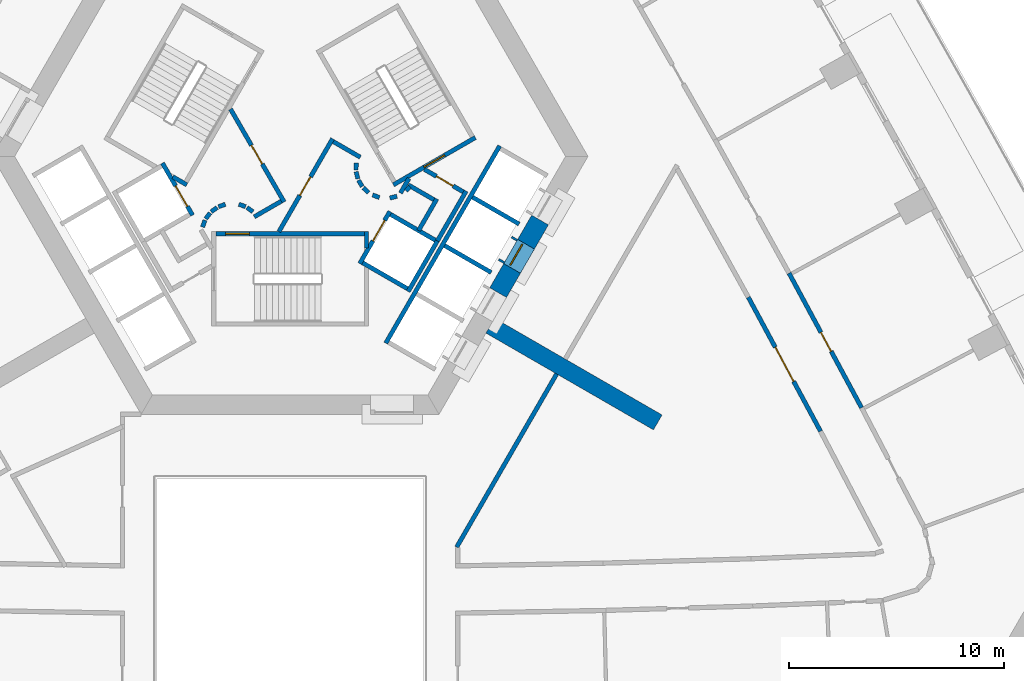
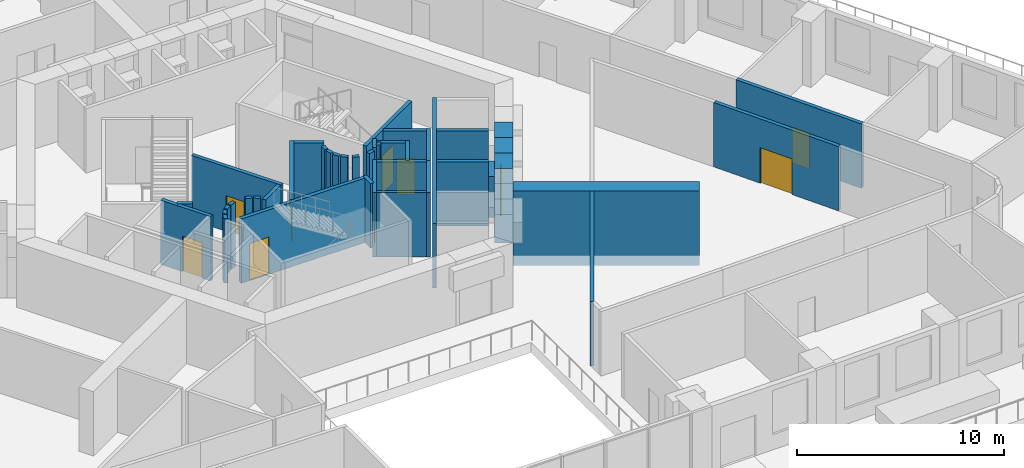
# One storey, part 7 of 16: 42 walls, 10 doors, 10 openings.
"""IFC4 building model written with IfcOpenShell, lengths in metres."""

from ifc_helpers import new_model, si_unit, direction, frame, frame_2d, origin, place, context, subcontext, project, spatial, polyline, rectangle, outline, extrude, material, layer, layer_set, type_object, element, fill, save


model = new_model("IFC4")

# Units and contexts
model_context = context("Model", 3, precision=1e-05, world=origin(), true_north=direction((0.0, 1.0)))
body_context = subcontext(model_context, "Body", "Model", "MODEL_VIEW")
ifc_project = project(units=[si_unit("LENGTHUNIT", "METRE"), si_unit("AREAUNIT", "SQUARE_METRE"), si_unit("VOLUMEUNIT", "CUBIC_METRE"), si_unit("PLANEANGLEUNIT", "RADIAN"), si_unit("MASSUNIT", "GRAM", prefix="KILO")], contexts=[model_context])

# Site, building, storey
site_placement = place(None, origin())
site = spatial("IfcSite", under=ifc_project, at=site_placement, CompositionType="ELEMENT")
building_placement = place(site_placement, origin())
building = spatial("IfcBuilding", under=site, at=building_placement, Name="Entoto Arch Interchange Tower", CompositionType="ELEMENT")
storey_placement = place(building_placement, frame((0.0, 0.0, 86.60009765625)))
storey = spatial("IfcBuildingStorey", under=building, at=storey_placement, Name="L18", CompositionType="ELEMENT", Elevation=86.60009765625)

# Walls
ifc_material_1 = material(Name="Concrete C60/75", Category="concrete")
ifc_layer_1 = layer(ifc_material_1, 0.800048828125)
ifc_layer_set_1 = layer_set([ifc_layer_1], Name="Concrete C60/75")
wall_type_1 = type_object("IfcWallType", Name="Buttress wall 800 C60/75", PredefinedType="SHEAR", material=ifc_layer_set_1)
wall_1_placement = place(storey_placement, frame((9.31005859375, -5.375, -0.60009765625), z_axis=(0.0, 0.0, 1.0), x_axis=(0.866017533419, -0.500013631625, 0.0)))
element("IfcWall", 1, at=wall_1_placement, inside=storey, type_object=wall_type_1, Name="Buttress wall SE L18", PredefinedType="SHEAR", context=body_context, shape_type="SweptSolid", body=[
    extrude(rectangle(XDim=8.999755859375, YDim=0.800048828125, at=frame_2d((4.5, 0.0))), origin(), (0.0, 0.0, 1.0), 4.39990234375),
])
ifc_layer_2 = layer(ifc_material_1, 0.89990234375)
ifc_layer_set_2 = layer_set([ifc_layer_2], Name="Concrete C60/75")
wall_type_2 = type_object("IfcWallType", Name="Core wall 900 C60/75", PredefinedType="SHEAR", material=ifc_layer_set_2)
wall_2_placement = place(storey_placement, frame((0.0, 0.0, -0.60009765625)))
element("IfcWall", 2, at=wall_2_placement, inside=storey, type_object=wall_type_2, Name="Core wall SE L18", PredefinedType="SHEAR", context=body_context, shape_type="SweptSolid", body=[
    extrude(outline(polyline([(10.717041015625, -2.93701171875), (9.93798828125, -2.487060546875), (9.2880859375, -3.613037109375), (10.06689453125, -4.06298828125), (10.717041015625, -2.93701171875)])), origin(), (0.0, 0.0, 1.0), 4.39990234375),
])
wall_3_placement = place(storey_placement, frame((0.0, 0.0, -0.60009765625)))
element("IfcWall", 3, at=wall_3_placement, inside=storey, type_object=wall_type_2, Name="Core wall SE L18", PredefinedType="SHEAR", context=body_context, shape_type="SweptSolid", body=[
    extrude(outline(polyline([(12.01708984375, -0.68603515625), (11.238037109375, -0.236083984375), (10.587890625, -1.361083984375), (11.366943359375, -1.81103515625), (12.01708984375, -0.68603515625)])), origin(), (0.0, 0.0, 1.0), 4.39990234375),
])
wall_4_placement = place(storey_placement, frame((0.0, 0.0, 3.599853515625)))
element("IfcWall", 4, at=wall_4_placement, inside=storey, type_object=wall_type_2, Name="Core wall lintel SE L18", PredefinedType="SHEAR", context=body_context, shape_type="SweptSolid", body=[
    extrude(outline(polyline([(11.366943359375, -1.81103515625), (10.587890625, -1.361083984375), (9.93798828125, -2.487060546875), (10.717041015625, -2.93701171875), (11.366943359375, -1.81103515625)])), origin(), (0.0, 0.0, 1.0), 0.199951171875),
])

# Wall, opening, door
ifc_material_2 = material(Name="Concrete C40/50", Category="concrete")
ifc_layer_3 = layer(ifc_material_2, 1.199951171875)
ifc_layer_set_3 = layer_set([ifc_layer_3], Name="Concrete C40/50")
wall_type_3 = type_object("IfcWallType", Name="LIFT LANDING INFILL WALL", PredefinedType="STANDARD", material=ifc_layer_set_3)
wall_5_placement = place(storey_placement, frame((10.197998046875, -2.636962890625, 0.0), z_axis=(0.0, 0.0, 1.0), x_axis=(0.49989585183, 0.866085525409, 0.0)))
wall_5 = element("IfcWall", 5, at=wall_5_placement, inside=storey, type_object=wall_type_3, Name="Lift landing infill wall LR7 L18", PredefinedType="STANDARD", context=body_context, shape_type="SweptSolid", body=[
    extrude(rectangle(XDim=1.300048828125, YDim=1.199951171875, at=frame_2d((0.64990234375, 0.0))), origin(), (0.0, 0.0, 1.0), 2.39990234375),
])
opening_1_placement = place(wall_5_placement, frame((0.10009765625, 0.0, 0.0)))
opening_1 = element("IfcOpeningElement", 6, at=opening_1_placement, cuts=wall_5, Name="Opening LD-LR7-L18", PredefinedType="OPENING", context=body_context, shape_type="SweptSolid", body=[
    extrude(rectangle(XDim=1.10009765625, YDim=2.300048828125, at=frame_2d((0.550048828125, 1.14990234375))), frame((0.0, 0.60986328125, 0.0), z_axis=(0.0, -1.0, 0.0), x_axis=(1.0, 0.0, 0.0)), (0.0, 0.0, 1.0), 1.219970703125),
])
ifc_material_3 = material(Name="Stainless steel 1.4301 panels", Category="steel")
door_type_1 = type_object("IfcDoorType", Name="LIFT LANDING DOOR LD2 1100x2300", OperationType="SLIDING_TO_LEFT", PredefinedType="DOOR", material=ifc_material_3)
door_1_placement = place(opening_1_placement, origin())
door_1 = element("IfcDoor", 7, at=door_1_placement, inside=storey, type_object=door_type_1, Name="Lift landing door LR7 L18", OperationType="SLIDING_TO_LEFT", OverallHeight=2.300048828125, OverallWidth=1.10009765625, PredefinedType="DOOR", context=body_context, shape_type="SweptSolid", body=[
    extrude(rectangle(XDim=1.10009765625, YDim=2.300048828125, at=frame_2d((0.550048828125, 1.14990234375))), frame((0.0, 0.02490234375, 0.0), z_axis=(0.0, -1.0, 0.0), x_axis=(1.0, 0.0, 0.0)), (0.0, 0.0, 1.0), 0.050048828125),
])
fill(opening_1, door_1)

ifc_layer_4 = layer(ifc_material_2, 0.199951171875)
ifc_layer_set_4 = layer_set([ifc_layer_4], Name="Concrete C40/50")
wall_type_4 = type_object("IfcWallType", Name="LIFT SHAFT WALL 200", PredefinedType="STANDARD", material=ifc_layer_set_4)
wall_6_placement = place(storey_placement, frame((-5.93994140625, 2.18798828125, 0.0), z_axis=(0.0, 0.0, 1.0), x_axis=(0.49994636267, -0.866056369097, 0.0)))
wall_6 = element("IfcWall", 8, at=wall_6_placement, inside=storey, type_object=wall_type_4, Name="Shaft wall SW1 front", PredefinedType="STANDARD", context=body_context, shape_type="SweptSolid", body=[
    extrude(rectangle(XDim=2.800048828125, YDim=0.199951171875, at=frame_2d((1.39990234375, 0.0))), origin(), (0.0, 0.0, 1.0), 3.7998046875),
])
opening_2_placement = place(wall_6_placement, frame((1.22509765625, 0.0, 0.0)))
opening_2 = element("IfcOpeningElement", 9, at=opening_2_placement, cuts=wall_6, Name="Opening LD-FF2-L18", PredefinedType="OPENING", context=body_context, shape_type="SweptSolid", body=[
    extrude(rectangle(XDim=1.10009765625, YDim=2.10009765625, at=frame_2d((0.550048828125, 1.050048828125))), frame((0.0, 0.10986328125, 0.0), z_axis=(0.0, -1.0, 0.0), x_axis=(1.0, 0.0, 0.0)), (0.0, 0.0, 1.0), 0.219970703125),
])
door_type_2 = type_object("IfcDoorType", Name="LIFT LANDING DOOR LD1 1100x2100", OperationType="SLIDING_TO_LEFT", PredefinedType="DOOR", material=ifc_material_3)
door_2_placement = place(opening_2_placement, origin())
door_2 = element("IfcDoor", 10, at=door_2_placement, inside=storey, type_object=door_type_2, Name="Lift landing door FF2 L18", OperationType="SLIDING_TO_LEFT", OverallHeight=2.10009765625, OverallWidth=1.10009765625, PredefinedType="DOOR", context=body_context, shape_type="SweptSolid", body=[
    extrude(rectangle(XDim=1.10009765625, YDim=2.10009765625, at=frame_2d((0.550048828125, 1.050048828125))), frame((0.0, 0.02490234375, 0.0), z_axis=(0.0, -1.0, 0.0), x_axis=(1.0, 0.0, 0.0)), (0.0, 0.0, 1.0), 0.050048828125),
])
fill(opening_2, door_2)

wall_7_placement = place(storey_placement, frame((3.239990234375, -2.488037109375, 0.0), z_axis=(0.0, 0.0, 1.0), x_axis=(0.49994636267, 0.866056369097, 0.0)))
wall_7 = element("IfcWall", 11, at=wall_7_placement, inside=storey, type_object=wall_type_4, Name="Shaft wall SE1 front", PredefinedType="STANDARD", context=body_context, shape_type="SweptSolid", body=[
    extrude(rectangle(XDim=2.800048828125, YDim=0.199951171875, at=frame_2d((1.39990234375, 0.0))), origin(), (0.0, 0.0, 1.0), 3.7998046875),
])
opening_3_placement = place(wall_7_placement, frame((1.22509765625, 0.0, 0.0)))
opening_3 = element("IfcOpeningElement", 12, at=opening_3_placement, cuts=wall_7, Name="Opening LD-FF1-L18", PredefinedType="OPENING", context=body_context, shape_type="SweptSolid", body=[
    extrude(rectangle(XDim=1.10009765625, YDim=2.10009765625, at=frame_2d((0.550048828125, 1.050048828125))), frame((0.0, 0.10986328125, 0.0), z_axis=(0.0, -1.0, 0.0), x_axis=(1.0, 0.0, 0.0)), (0.0, 0.0, 1.0), 0.219970703125),
])
door_3_placement = place(opening_3_placement, origin())
door_3 = element("IfcDoor", 13, at=door_3_placement, inside=storey, type_object=door_type_2, Name="Lift landing door FF1 L18", OperationType="SLIDING_TO_LEFT", OverallHeight=2.10009765625, OverallWidth=1.10009765625, PredefinedType="DOOR", context=body_context, shape_type="SweptSolid", body=[
    extrude(rectangle(XDim=1.10009765625, YDim=2.10009765625, at=frame_2d((0.550048828125, 1.050048828125))), frame((0.0, 0.02490234375, 0.0), z_axis=(0.0, -1.0, 0.0), x_axis=(1.0, 0.0, 0.0)), (0.0, 0.0, 1.0), 0.050048828125),
])
fill(opening_3, door_3)

# Walls
wall_8_placement = place(storey_placement, frame((5.491943359375, -3.7880859375, 0.0), z_axis=(0.0, 0.0, 1.0), x_axis=(0.500011755427, 0.866018616679, 0.0)))
element("IfcWall", 14, at=wall_8_placement, inside=storey, type_object=wall_type_4, Name="Shaft wall SE1 back", PredefinedType="STANDARD", context=body_context, shape_type="SweptSolid", body=[
    extrude(rectangle(XDim=2.80029296875, YDim=0.199951171875, at=frame_2d((1.400146484375, 0.0))), origin(), (0.0, 0.0, 1.0), 3.7998046875),
])
wall_9_placement = place(storey_placement, frame((3.376953125, -2.451904296875, 0.0), z_axis=(0.0, 0.0, 1.0), x_axis=(0.865955154139, -0.50012165622, 0.0)))
element("IfcWall", 15, at=wall_9_placement, inside=storey, type_object=wall_type_4, Name="Shaft wall SE1 cross 1", PredefinedType="STANDARD", context=body_context, shape_type="SweptSolid", body=[
    extrude(rectangle(XDim=2.39990234375, YDim=0.199951171875, at=frame_2d((1.199951171875, 0.0))), origin(), (0.0, 0.0, 1.0), 3.7998046875),
])
wall_10_placement = place(storey_placement, frame((4.677001953125, -0.199951171875, 0.0), z_axis=(0.0, 0.0, 1.0), x_axis=(0.865973769406, -0.500089422704, 0.0)))
element("IfcWall", 16, at=wall_10_placement, inside=storey, type_object=wall_type_4, Name="Shaft wall SE1 cross 2", PredefinedType="STANDARD", context=body_context, shape_type="SweptSolid", body=[
    extrude(rectangle(XDim=2.3994140625, YDim=0.199951171875, at=frame_2d((1.19970703125, 0.0))), origin(), (0.0, 0.0, 1.0), 3.7998046875),
])
wall_11_placement = place(storey_placement, frame((4.450927734375, -6.18994140625, 0.0), z_axis=(0.0, 0.0, 1.0), x_axis=(0.50000090737, 0.866024879913, 0.0)))
element("IfcWall", 17, at=wall_11_placement, inside=storey, type_object=wall_type_4, Name="Shaft wall SE3 front", PredefinedType="STANDARD", context=body_context, shape_type="SweptSolid", body=[
    extrude(rectangle(XDim=10.60009765625, YDim=0.199951171875, at=frame_2d((5.300048828125, 0.0))), origin(), (0.0, 0.0, 1.0), 3.7998046875),
])
for number, where, z_axis, x_axis, name in (
    (18, (7.18798828125, -1.64990234375, 0.0), (0.0, 0.0, 1.0), (0.866022959057, -0.500004234368, 0.0), "Shaft wall SE3 cross 3"),
    (19, (8.488037109375, 0.60205078125, 0.0), (0.0, 0.0, 1.0), (0.866022959057, -0.500004234368, 0.0), "Shaft wall SE3 cross 4"),
):
    element("IfcWall", number, at=place(storey_placement, frame(where, z_axis=z_axis, x_axis=x_axis)), inside=storey, type_object=wall_type_4, Name=name, PredefinedType="STANDARD", context=body_context, shape_type="SweptSolid", body=[
        extrude(rectangle(XDim=2.5, YDim=0.199951171875, at=frame_2d((1.25, 0.0))), origin(), (0.0, 0.0, 1.0), 3.7998046875),
    ])

# Wall, opening, door
ifc_material_4 = material(Name="Gypsum board partition on steel studs", Category="steel")
ifc_layer_5 = layer(ifc_material_4, 0.199951171875)
ifc_layer_set_5 = layer_set([ifc_layer_5], Name="Gypsum board partition on steel studs")
wall_type_5 = type_object("IfcWallType", Name="PARTITION 200", PredefinedType="PARTITIONING", material=ifc_layer_set_5)
wall_12_placement = place(storey_placement, frame((24.677978515625, -10.2900390625, 0.0), z_axis=(0.0, 0.0, 1.0), x_axis=(-0.474391588657, 0.880313932987, 0.0)))
wall_12 = element("IfcWall", 20, at=wall_12_placement, inside=storey, type_object=wall_type_5, Name="wall:L18:p017", PredefinedType="PARTITIONING", context=body_context, shape_type="SweptSolid", body=[
    extrude(rectangle(XDim=7.0849609375, YDim=0.199951171875, at=frame_2d((3.54248046875, 0.0))), origin(), (0.0, 0.0, 1.0), 3.7998046875),
])
opening_4_placement = place(wall_12_placement, frame((2.64208984375, 0.0, 0.0)))
opening_4 = element("IfcOpeningElement", 21, at=opening_4_placement, cuts=wall_12, Name="Opening L18-D23", PredefinedType="OPENING", context=body_context, shape_type="SweptSolid", body=[
    extrude(rectangle(XDim=1.800048828125, YDim=2.10009765625, at=frame_2d((0.89990234375, 1.050048828125))), frame((0.0, 0.10986328125, 0.0), z_axis=(0.0, -1.0, 0.0), x_axis=(1.0, 0.0, 0.0)), (0.0, 0.0, 1.0), 0.219970703125),
])
ifc_material_5 = material(Name="Timber door leaf in Steel S235 frame", Category="steel")
door_type_3 = type_object("IfcDoorType", Name="DOOR DD-18 1800x2100", OperationType="DOUBLE_DOOR_SINGLE_SWING", PredefinedType="DOOR", material=ifc_material_5)
door_4_placement = place(opening_4_placement, origin())
door_4 = element("IfcDoor", 22, at=door_4_placement, inside=storey, type_object=door_type_3, Name="door:L18:23", OperationType="DOUBLE_DOOR_SINGLE_SWING", OverallHeight=2.10009765625, OverallWidth=1.800048828125, PredefinedType="DOOR", context=body_context, shape_type="SweptSolid", body=[
    extrude(rectangle(XDim=1.800048828125, YDim=2.10009765625, at=frame_2d((0.89990234375, 1.050048828125))), frame((0.0, 0.02490234375, 0.0), z_axis=(0.0, -1.0, 0.0), x_axis=(1.0, 0.0, 0.0)), (0.0, 0.0, 1.0), 0.050048828125),
])
fill(opening_4, door_4)

wall_13_placement = place(storey_placement, frame((23.2119140625, -2.931884765625, 0.0), z_axis=(0.0, 0.0, 1.0), x_axis=(0.474404892994, -0.880306763295, 0.0)))
wall_13 = element("IfcWall", 23, at=wall_13_placement, inside=storey, type_object=wall_type_5, Name="wall:L18:p040", PredefinedType="PARTITIONING", context=body_context, shape_type="SweptSolid", body=[
    extrude(rectangle(XDim=7.110107421875, YDim=0.199951171875, at=frame_2d((3.55517578125, 0.0))), origin(), (0.0, 0.0, 1.0), 3.7998046875),
])
opening_5_placement = place(wall_13_placement, frame((3.1298828125, 0.0, 0.0)))
opening_5 = element("IfcOpeningElement", 24, at=opening_5_placement, cuts=wall_13, Name="Opening L18-D06", PredefinedType="OPENING", context=body_context, shape_type="SweptSolid", body=[
    extrude(rectangle(XDim=1.0, YDim=2.10009765625, at=frame_2d((0.5, 1.050048828125))), frame((0.0, 0.10986328125, 0.0), z_axis=(0.0, -1.0, 0.0), x_axis=(1.0, 0.0, 0.0)), (0.0, 0.0, 1.0), 0.219970703125),
])
door_type_4 = type_object("IfcDoorType", Name="DOOR DS-10 1000x2100", OperationType="SINGLE_SWING_LEFT", PredefinedType="DOOR", material=ifc_material_5)
door_5_placement = place(opening_5_placement, origin())
door_5 = element("IfcDoor", 25, at=door_5_placement, inside=storey, type_object=door_type_4, Name="door:L18:06", OperationType="SINGLE_SWING_LEFT", OverallHeight=2.10009765625, OverallWidth=1.0, PredefinedType="DOOR", context=body_context, shape_type="SweptSolid", body=[
    extrude(rectangle(XDim=1.0, YDim=2.10009765625, at=frame_2d((0.5, 1.050048828125))), frame((0.0, 0.02490234375, 0.0), z_axis=(0.0, -1.0, 0.0), x_axis=(1.0, 0.0, 0.0)), (0.0, 0.0, 1.0), 0.050048828125),
])
fill(opening_5, door_5)

# Walls
wall_14_placement = place(storey_placement, frame((5.389892578125, 0.89794921875, 0.0), z_axis=(0.0, 0.0, 1.0), x_axis=(0.673828488714, 0.738887791073, 0.0)))
element("IfcWall", 26, at=wall_14_placement, inside=storey, type_object=wall_type_5, Name="wall:L18:p066", PredefinedType="PARTITIONING", context=body_context, shape_type="SweptSolid", body=[
    extrude(rectangle(XDim=0.2626953125, YDim=0.199951171875, at=frame_2d((0.13134765625, 0.0))), origin(), (0.0, 0.0, 1.0), 3.7998046875),
])
wall_15_placement = place(storey_placement, frame((5.4990234375, 1.172119140625, 0.0), z_axis=(0.0, 0.0, 1.0), x_axis=(0.866333505267, -0.499465972466, 0.0)))
element("IfcWall", 27, at=wall_15_placement, inside=storey, type_object=wall_type_5, Name="wall:L18:p067", PredefinedType="PARTITIONING", context=body_context, shape_type="SweptSolid", body=[
    extrude(rectangle(XDim=1.37353515625, YDim=0.199951171875, at=frame_2d((0.686767578125, 0.0))), origin(), (0.0, 0.0, 1.0), 3.7998046875),
])
wall_16_placement = place(storey_placement, frame((6.825927734375, 0.52197265625, 0.0), z_axis=(0.0, 0.0, 1.0), x_axis=(-0.500016722714, -0.866015748706, 0.0)))
element("IfcWall", 28, at=wall_16_placement, inside=storey, type_object=wall_type_5, Name="wall:L18:p068", PredefinedType="PARTITIONING", context=body_context, shape_type="SweptSolid", body=[
    extrude(rectangle(XDim=1.69970703125, YDim=0.199951171875, at=frame_2d((0.849853515625, 0.0))), origin(), (0.0, 0.0, 1.0), 3.7998046875),
])

# Wall, opening, door
wall_17_placement = place(storey_placement, frame((6.25, 1.89404296875, 0.0), z_axis=(0.0, 0.0, 1.0), x_axis=(0.866043184279, -0.499969202016, 0.0)))
wall_17 = element("IfcWall", 29, at=wall_17_placement, inside=storey, type_object=wall_type_5, Name="wall:L18:p069", PredefinedType="PARTITIONING", context=body_context, shape_type="SweptSolid", body=[
    extrude(rectangle(XDim=2.084228515625, YDim=0.199951171875, at=frame_2d((1.0419921875, 0.0))), origin(), (0.0, 0.0, 1.0), 3.7998046875),
])
opening_6_placement = place(wall_17_placement, frame((0.64208984375, 0.0, 0.0)))
opening_6 = element("IfcOpeningElement", 30, at=opening_6_placement, cuts=wall_17, Name="Opening L18-D34", PredefinedType="OPENING", context=body_context, shape_type="SweptSolid", body=[
    extrude(rectangle(XDim=0.89990234375, YDim=2.10009765625, at=frame_2d((0.449951171875, 1.050048828125))), frame((0.0, 0.10986328125, 0.0), z_axis=(0.0, -1.0, 0.0), x_axis=(1.0, 0.0, 0.0)), (0.0, 0.0, 1.0), 0.219970703125),
])
door_type_5 = type_object("IfcDoorType", Name="DOOR DS-09 900x2100", OperationType="SINGLE_SWING_LEFT", PredefinedType="DOOR", material=ifc_material_5)
door_6_placement = place(opening_6_placement, origin())
door_6 = element("IfcDoor", 31, at=door_6_placement, inside=storey, type_object=door_type_5, Name="door:L18:34", OperationType="SINGLE_SWING_LEFT", OverallHeight=2.10009765625, OverallWidth=0.89990234375, PredefinedType="DOOR", context=body_context, shape_type="SweptSolid", body=[
    extrude(rectangle(XDim=0.89990234375, YDim=2.10009765625, at=frame_2d((0.449951171875, 1.050048828125))), frame((0.0, 0.02490234375, 0.0), z_axis=(0.0, -1.0, 0.0), x_axis=(1.0, 0.0, 0.0)), (0.0, 0.0, 1.0), 0.050048828125),
])
fill(opening_6, door_6)

# Walls
wall_18_placement = place(storey_placement, frame((8.19189453125, 0.887939453125, 0.0), z_axis=(0.0, 0.0, 1.0), x_axis=(-0.499940625693, -0.866059680843, 0.0)))
element("IfcWall", 32, at=wall_18_placement, inside=storey, type_object=wall_type_5, Name="wall:L18:p070", PredefinedType="PARTITIONING", context=body_context, shape_type="SweptSolid", body=[
    extrude(rectangle(XDim=2.679931640625, YDim=0.199951171875, at=frame_2d((1.33984375, 0.0))), origin(), (0.0, 0.0, 1.0), 3.7998046875),
])
wall_19_placement = place(storey_placement, frame((5.135009765625, 0.79296875, 0.0), z_axis=(0.0, 0.0, 1.0), x_axis=(0.499526442893, 0.866298639529, 0.0)))
element("IfcWall", 33, at=wall_19_placement, inside=storey, type_object=wall_type_5, Name="wall:L18:p071", PredefinedType="PARTITIONING", context=body_context, shape_type="SweptSolid", body=[
    extrude(rectangle(XDim=0.790771484375, YDim=0.199951171875, at=frame_2d((0.3955078125, 0.0))), origin(), (0.0, 0.0, 1.0), 3.7998046875),
])

# Wall, opening, door
wall_20_placement = place(storey_placement, frame((-0.52001953125, -1.0, 0.0), z_axis=(0.0, 0.0, 1.0), x_axis=(0.50011622646, 0.865958290007, 0.0)))
wall_20 = element("IfcWall", 34, at=wall_20_placement, inside=storey, type_object=wall_type_5, Name="wall:L18:p077", PredefinedType="PARTITIONING", context=body_context, shape_type="SweptSolid", body=[
    extrude(rectangle(XDim=4.990966796875, YDim=0.199951171875, at=frame_2d((2.49560546875, 0.0))), origin(), (0.0, 0.0, 1.0), 3.7998046875),
])
opening_7_placement = place(wall_20_placement, frame((1.945068359375, 0.0, 0.0)))
opening_7 = element("IfcOpeningElement", 35, at=opening_7_placement, cuts=wall_20, Name="Opening L18-D32", PredefinedType="OPENING", context=body_context, shape_type="SweptSolid", body=[
    extrude(rectangle(XDim=1.0, YDim=2.10009765625, at=frame_2d((0.5, 1.050048828125))), frame((0.0, 0.10986328125, 0.0), z_axis=(0.0, -1.0, 0.0), x_axis=(1.0, 0.0, 0.0)), (0.0, 0.0, 1.0), 0.219970703125),
])
ifc_material_6 = material(Name="Fire-rated Steel S235 door and frame", Category="steel")
door_type_6 = type_object("IfcDoorType", Name="DOOR FD-10 1000x2100", OperationType="SINGLE_SWING_LEFT", PredefinedType="DOOR", material=ifc_material_6)
door_7_placement = place(opening_7_placement, origin())
door_7 = element("IfcDoor", 36, at=door_7_placement, inside=storey, type_object=door_type_6, Name="door:L18:32", OperationType="SINGLE_SWING_LEFT", OverallHeight=2.10009765625, OverallWidth=1.0, PredefinedType="DOOR", context=body_context, shape_type="SweptSolid", body=[
    extrude(rectangle(XDim=1.0, YDim=2.10009765625, at=frame_2d((0.5, 1.050048828125))), frame((0.0, 0.02490234375, 0.0), z_axis=(0.0, -1.0, 0.0), x_axis=(1.0, 0.0, 0.0)), (0.0, 0.0, 1.0), 0.050048828125),
])
fill(opening_7, door_7)

# Walls
wall_21_placement = place(storey_placement, frame((2.011962890625, 3.18603515625, 0.0), z_axis=(0.0, 0.0, 1.0), x_axis=(0.865891012941, -0.500232699559, 0.0)))
element("IfcWall", 37, at=wall_21_placement, inside=storey, type_object=wall_type_5, Name="wall:L18:p078", PredefinedType="PARTITIONING", context=body_context, shape_type="SweptSolid", body=[
    extrude(rectangle(XDim=1.449462890625, YDim=0.199951171875, at=frame_2d((0.724609375, 0.0))), origin(), (0.0, 0.0, 1.0), 3.7998046875),
])
wall_22_placement = place(storey_placement, frame((3.0791015625, 2.198974609375, 0.0), z_axis=(0.0, 0.0, 1.0), x_axis=(-0.047771483479, -0.998858290933, 0.0)))
element("IfcWall", 38, at=wall_22_placement, inside=storey, type_object=wall_type_5, Name="wall:L18:p079", PredefinedType="PARTITIONING", context=body_context, shape_type="SweptSolid", body=[
    extrude(rectangle(XDim=0.33740234375, YDim=0.199951171875, at=frame_2d((0.168701171875, 0.0))), origin(), (0.0, 0.0, 1.0), 3.7998046875),
])
wall_23_placement = place(storey_placement, frame((3.070068359375, 1.785888671875, 0.0), z_axis=(0.0, 0.0, 1.0), x_axis=(0.242705583207, -0.970099994784, 0.0)))
element("IfcWall", 39, at=wall_23_placement, inside=storey, type_object=wall_type_5, Name="wall:L18:p080", PredefinedType="PARTITIONING", context=body_context, shape_type="SweptSolid", body=[
    extrude(rectangle(XDim=0.337890625, YDim=0.199951171875, at=frame_2d((0.1689453125, 0.0))), origin(), (0.0, 0.0, 1.0), 3.7998046875),
])
for number, where, z_axis, x_axis, name in (
    (40, (3.181884765625, 1.387939453125, 0.0), (0.0, 0.0, 1.0), (0.512474702713, -0.85870232274, 0.0), "wall:L18:p081"),
    (41, (3.404052734375, 1.0390625, 0.0), (0.0, 0.0, 1.0), (0.740267097712, -0.672312891476, 0.0), "wall:L18:p082"),
):
    element("IfcWall", number, at=place(storey_placement, frame(where, z_axis=z_axis, x_axis=x_axis)), inside=storey, type_object=wall_type_5, Name=name, PredefinedType="PARTITIONING", context=body_context, shape_type="SweptSolid", body=[
        extrude(rectangle(XDim=0.337646484375, YDim=0.199951171875, at=frame_2d((0.1689453125, 0.0))), origin(), (0.0, 0.0, 1.0), 3.7998046875),
    ])
wall_24_placement = place(storey_placement, frame((3.837890625, 0.701904296875, 0.0), z_axis=(0.0, 0.0, 1.0), x_axis=(0.941035081519, -0.338308993895, 0.0)))
element("IfcWall", 42, at=wall_24_placement, inside=storey, type_object=wall_type_5, Name="wall:L18:p083", PredefinedType="PARTITIONING", context=body_context, shape_type="SweptSolid", body=[
    extrude(rectangle(XDim=0.3369140625, YDim=0.199951171875, at=frame_2d((0.16845703125, 0.0))), origin(), (0.0, 0.0, 1.0), 3.7998046875),
])
wall_25_placement = place(storey_placement, frame((4.64404296875, 0.56396484375, 0.0), z_axis=(0.0, 0.0, 1.0), x_axis=(0.969929076366, 0.243387729394, 0.0)))
element("IfcWall", 43, at=wall_25_placement, inside=storey, type_object=wall_type_5, Name="wall:L18:p084", PredefinedType="PARTITIONING", context=body_context, shape_type="SweptSolid", body=[
    extrude(rectangle(XDim=0.337158203125, YDim=0.199951171875, at=frame_2d((0.16845703125, 0.0))), origin(), (0.0, 0.0, 1.0), 3.7998046875),
])

# Wall, opening, door
wall_26_placement = place(storey_placement, frame((-2.77099609375, 4.699951171875, 0.0), z_axis=(0.0, 0.0, 1.0), x_axis=(0.499969479948, -0.866043023828, 0.0)))
wall_26 = element("IfcWall", 44, at=wall_26_placement, inside=storey, type_object=wall_type_5, Name="wall:L18:p085", PredefinedType="PARTITIONING", context=body_context, shape_type="SweptSolid", body=[
    extrude(rectangle(XDim=4.990478515625, YDim=0.199951171875, at=frame_2d((2.4951171875, 0.0))), origin(), (0.0, 0.0, 1.0), 3.7998046875),
])
opening_8_placement = place(wall_26_placement, frame((1.945068359375, 0.0, 0.0)))
opening_8 = element("IfcOpeningElement", 45, at=opening_8_placement, cuts=wall_26, Name="Opening L18-D33", PredefinedType="OPENING", context=body_context, shape_type="SweptSolid", body=[
    extrude(rectangle(XDim=1.0, YDim=2.10009765625, at=frame_2d((0.5, 1.050048828125))), frame((0.0, 0.10986328125, 0.0), z_axis=(0.0, -1.0, 0.0), x_axis=(1.0, 0.0, 0.0)), (0.0, 0.0, 1.0), 0.219970703125),
])
door_8_placement = place(opening_8_placement, origin())
door_8 = element("IfcDoor", 46, at=door_8_placement, inside=storey, type_object=door_type_6, Name="door:L18:33", OperationType="SINGLE_SWING_RIGHT", OverallHeight=2.10009765625, OverallWidth=1.0, PredefinedType="DOOR", context=body_context, shape_type="SweptSolid", body=[
    extrude(rectangle(XDim=1.0, YDim=2.10009765625, at=frame_2d((0.5, 1.050048828125))), frame((0.0, 0.02490234375, 0.0), z_axis=(0.0, -1.0, 0.0), x_axis=(1.0, 0.0, 0.0)), (0.0, 0.0, 1.0), 0.050048828125),
])
fill(opening_8, door_8)

# Walls
wall_27_placement = place(storey_placement, frame((-0.412109375, 0.4140625, 0.0), z_axis=(0.0, 0.0, 1.0), x_axis=(-0.866017369001, -0.500013916395, 0.0)))
element("IfcWall", 47, at=wall_27_placement, inside=storey, type_object=wall_type_5, Name="wall:L18:p086", PredefinedType="PARTITIONING", context=body_context, shape_type="SweptSolid", body=[
    extrude(rectangle(XDim=1.4501953125, YDim=0.199951171875, at=frame_2d((0.72509765625, 0.0))), origin(), (0.0, 0.0, 1.0), 3.7998046875),
])
wall_28_placement = place(storey_placement, frame((-1.73095703125, -0.076904296875, 0.0), z_axis=(0.0, 0.0, 1.0), x_axis=(-0.804311165252, 0.594208338422, 0.0)))
element("IfcWall", 48, at=wall_28_placement, inside=storey, type_object=wall_type_5, Name="wall:L18:p087", PredefinedType="PARTITIONING", context=body_context, shape_type="SweptSolid", body=[
    extrude(rectangle(XDim=0.338134765625, YDim=0.199951171875, at=frame_2d((0.1689453125, 0.0))), origin(), (0.0, 0.0, 1.0), 3.7998046875),
])
wall_29_placement = place(storey_placement, frame((-2.070068359375, 0.159912109375, 0.0), z_axis=(0.0, 0.0, 1.0), x_axis=(-0.942199461132, 0.335052496547, 0.0)))
element("IfcWall", 49, at=wall_29_placement, inside=storey, type_object=wall_type_5, Name="wall:L18:p088", PredefinedType="PARTITIONING", context=body_context, shape_type="SweptSolid", body=[
    extrude(rectangle(XDim=0.33740234375, YDim=0.199951171875, at=frame_2d((0.168701171875, 0.0))), origin(), (0.0, 0.0, 1.0), 3.7998046875),
])
wall_30_placement = place(storey_placement, frame((-3.011962890625, 0.27294921875, 0.0), z_axis=(0.0, 0.0, 1.0), x_axis=(-0.942280615813, -0.334824194261, 0.0)))
element("IfcWall", 50, at=wall_30_placement, inside=storey, type_object=wall_type_5, Name="wall:L18:p089", PredefinedType="PARTITIONING", context=body_context, shape_type="SweptSolid", body=[
    extrude(rectangle(XDim=0.337646484375, YDim=0.199951171875, at=frame_2d((0.1689453125, 0.0))), origin(), (0.0, 0.0, 1.0), 3.7998046875),
])
wall_31_placement = place(storey_placement, frame((-3.39697265625, 0.1240234375, 0.0), z_axis=(0.0, 0.0, 1.0), x_axis=(-0.804311165252, -0.594208338422, 0.0)))
element("IfcWall", 51, at=wall_31_placement, inside=storey, type_object=wall_type_5, Name="wall:L18:p090", PredefinedType="PARTITIONING", context=body_context, shape_type="SweptSolid", body=[
    extrude(rectangle(XDim=0.338134765625, YDim=0.199951171875, at=frame_2d((0.1689453125, 0.0))), origin(), (0.0, 0.0, 1.0), 3.7998046875),
])
wall_32_placement = place(storey_placement, frame((-3.722900390625, -0.131103515625, 0.0), z_axis=(0.0, 0.0, 1.0), x_axis=(-0.594675113454, -0.803966112121, 0.0)))
element("IfcWall", 52, at=wall_32_placement, inside=storey, type_object=wall_type_5, Name="wall:L18:p091", PredefinedType="PARTITIONING", context=body_context, shape_type="SweptSolid", body=[
    extrude(rectangle(XDim=0.33837890625, YDim=0.199951171875, at=frame_2d((0.169189453125, 0.0))), origin(), (0.0, 0.0, 1.0), 3.7998046875),
])
wall_33_placement = place(storey_placement, frame((-3.9599609375, -0.469970703125, 0.0), z_axis=(0.0, 0.0, 1.0), x_axis=(-0.334824194261, -0.942280615813, 0.0)))
element("IfcWall", 53, at=wall_33_placement, inside=storey, type_object=wall_type_5, Name="wall:L18:p092", PredefinedType="PARTITIONING", context=body_context, shape_type="SweptSolid", body=[
    extrude(rectangle(XDim=0.337646484375, YDim=0.199951171875, at=frame_2d((0.1689453125, 0.0))), origin(), (0.0, 0.0, 1.0), 3.7998046875),
])
wall_34_placement = place(storey_placement, frame((12.40087890625, -7.62109375, 0.0), z_axis=(0.0, 0.0, 1.0), x_axis=(-0.499983724212, -0.866034800411, 0.0)))
element("IfcWall", 54, at=wall_34_placement, inside=storey, type_object=wall_type_5, Name="wall:L18:p102", PredefinedType="PARTITIONING", context=body_context, shape_type="SweptSolid", body=[
    extrude(rectangle(XDim=9.302001953125, YDim=0.199951171875, at=frame_2d((4.65087890625, 0.0))), origin(), (0.0, 0.0, 1.0), 3.7998046875),
])
ifc_layer_6 = layer(ifc_material_2, 0.199951171875)
ifc_layer_set_6 = layer_set([ifc_layer_6], Name="Concrete C40/50")
wall_type_6 = type_object("IfcWallType", Name="STAIR ENCLOSURE WALL 200", PredefinedType="STANDARD", material=ifc_layer_set_6)
wall_35_placement = place(storey_placement, frame((3.550048828125, -1.0, 0.0), z_axis=(0.0, 0.0, 1.0), x_axis=(0.0, -1.0, 0.0)))
element("IfcWall", 55, at=wall_35_placement, inside=storey, type_object=wall_type_6, Name="Stair wall ST-S far return", PredefinedType="STANDARD", context=body_context, shape_type="SweptSolid", body=[
    extrude(rectangle(XDim=0.7509765625, YDim=0.199951171875, at=frame_2d((0.37548828125, 0.0))), origin(), (0.0, 0.0, 1.0), 3.7998046875),
])

# Wall, opening, door
wall_36_placement = place(storey_placement, frame((-3.449951171875, -1.10009765625, 0.0), z_axis=(0.0, 0.0, 1.0), x_axis=(1.0, 0.0, 0.0)))
wall_36 = element("IfcWall", 56, at=wall_36_placement, inside=storey, type_object=wall_type_6, Name="Stair wall ST-S hall", PredefinedType="STANDARD", context=body_context, shape_type="SweptSolid", body=[
    extrude(rectangle(XDim=6.89990234375, YDim=0.199951171875, at=frame_2d((3.449951171875, 0.0))), origin(), (0.0, 0.0, 1.0), 3.7998046875),
])
opening_9_placement = place(wall_36_placement, frame((0.449951171875, 0.0, 0.0)))
opening_9 = element("IfcOpeningElement", 57, at=opening_9_placement, cuts=wall_36, Name="Opening SD-ST-S-L18", PredefinedType="OPENING", context=body_context, shape_type="SweptSolid", body=[
    extrude(rectangle(XDim=1.10009765625, YDim=2.199951171875, at=frame_2d((0.550048828125, 1.10009765625))), frame((0.0, 0.10986328125, 0.0), z_axis=(0.0, -1.0, 0.0), x_axis=(1.0, 0.0, 0.0)), (0.0, 0.0, 1.0), 0.219970703125),
])
ifc_material_7 = material(Name="Steel S235", Category="steel")
door_type_7 = type_object("IfcDoorType", Name="STAIR DOOR SD1 1100x2200", OperationType="SINGLE_SWING_LEFT", PredefinedType="DOOR", material=ifc_material_7)
door_9_placement = place(opening_9_placement, origin())
door_9 = element("IfcDoor", 58, at=door_9_placement, inside=storey, type_object=door_type_7, Name="Stair door ST-S L18", OperationType="SINGLE_SWING_LEFT", OverallHeight=2.199951171875, OverallWidth=1.10009765625, PredefinedType="DOOR", context=body_context, shape_type="SweptSolid", body=[
    extrude(rectangle(XDim=1.10009765625, YDim=2.199951171875, at=frame_2d((0.550048828125, 1.10009765625))), frame((0.0, 0.02490234375, 0.0), z_axis=(0.0, -1.0, 0.0), x_axis=(1.0, 0.0, 0.0)), (0.0, 0.0, 1.0), 0.050048828125),
])
fill(opening_9, door_9)

wall_37_placement = place(storey_placement, frame((4.805908203125, 1.176025390625, 0.0), z_axis=(0.0, 0.0, 1.0), x_axis=(0.866059941101, 0.499940174841, 0.0)))
wall_37 = element("IfcWall", 59, at=wall_37_placement, inside=storey, type_object=wall_type_6, Name="Stair wall ST-NE near", PredefinedType="STANDARD", context=body_context, shape_type="SweptSolid", body=[
    extrude(rectangle(XDim=4.400390625, YDim=0.199951171875, at=frame_2d((2.2001953125, 0.0))), origin(), (0.0, 0.0, 1.0), 3.7998046875),
])
opening_10_placement = place(wall_37_placement, frame((1.64990234375, 0.0, 0.0)))
opening_10 = element("IfcOpeningElement", 60, at=opening_10_placement, cuts=wall_37, Name="Opening SD-ST-NE-L18-E", PredefinedType="OPENING", context=body_context, shape_type="SweptSolid", body=[
    extrude(rectangle(XDim=1.10009765625, YDim=2.199951171875, at=frame_2d((0.550048828125, 1.10009765625))), frame((0.0, 0.10986328125, 0.0), z_axis=(0.0, -1.0, 0.0), x_axis=(1.0, 0.0, 0.0)), (0.0, 0.0, 1.0), 0.219970703125),
])
door_10_placement = place(opening_10_placement, origin())
door_10 = element("IfcDoor", 61, at=door_10_placement, inside=storey, type_object=door_type_7, Name="Stair door ST-NE L18 end", OperationType="SINGLE_SWING_LEFT", OverallHeight=2.199951171875, OverallWidth=1.10009765625, PredefinedType="DOOR", context=body_context, shape_type="SweptSolid", body=[
    extrude(rectangle(XDim=1.10009765625, YDim=2.199951171875, at=frame_2d((0.550048828125, 1.10009765625))), frame((0.0, 0.02490234375, 0.0), z_axis=(0.0, -1.0, 0.0), x_axis=(1.0, 0.0, 0.0)), (0.0, 0.0, 1.0), 0.050048828125),
])
fill(opening_10, door_10)

# Wall
wall_38_placement = place(storey_placement, frame((-4.805908203125, 1.176025390625, 0.0), z_axis=(0.0, 0.0, 1.0), x_axis=(-0.866558586415, 0.499075361355, 0.0)))
element("IfcWall", 62, at=wall_38_placement, inside=storey, type_object=wall_type_6, Name="Stair wall ST-NW far return", PredefinedType="STANDARD", context=body_context, shape_type="SweptSolid", body=[
    extrude(rectangle(XDim=0.75146484375, YDim=0.199951171875, at=frame_2d((0.375732421875, 0.0))), origin(), (0.0, 0.0, 1.0), 3.7998046875),
])

save(model, "model.ifc")
